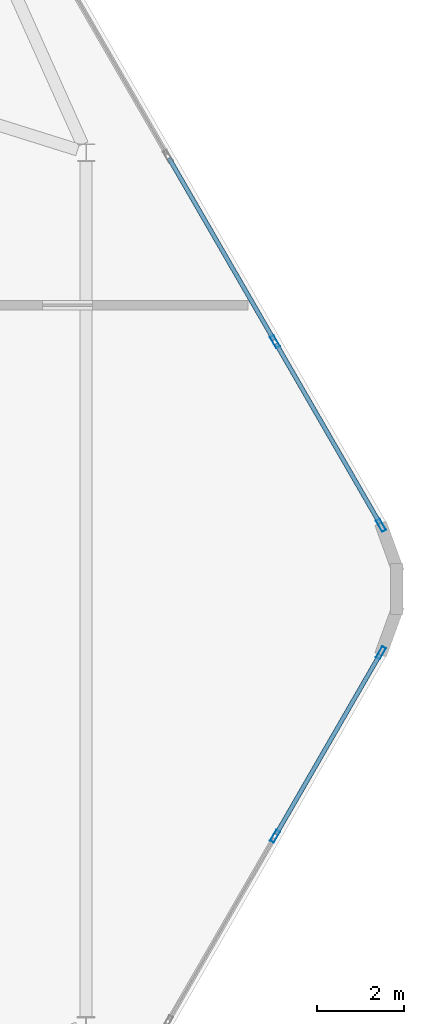
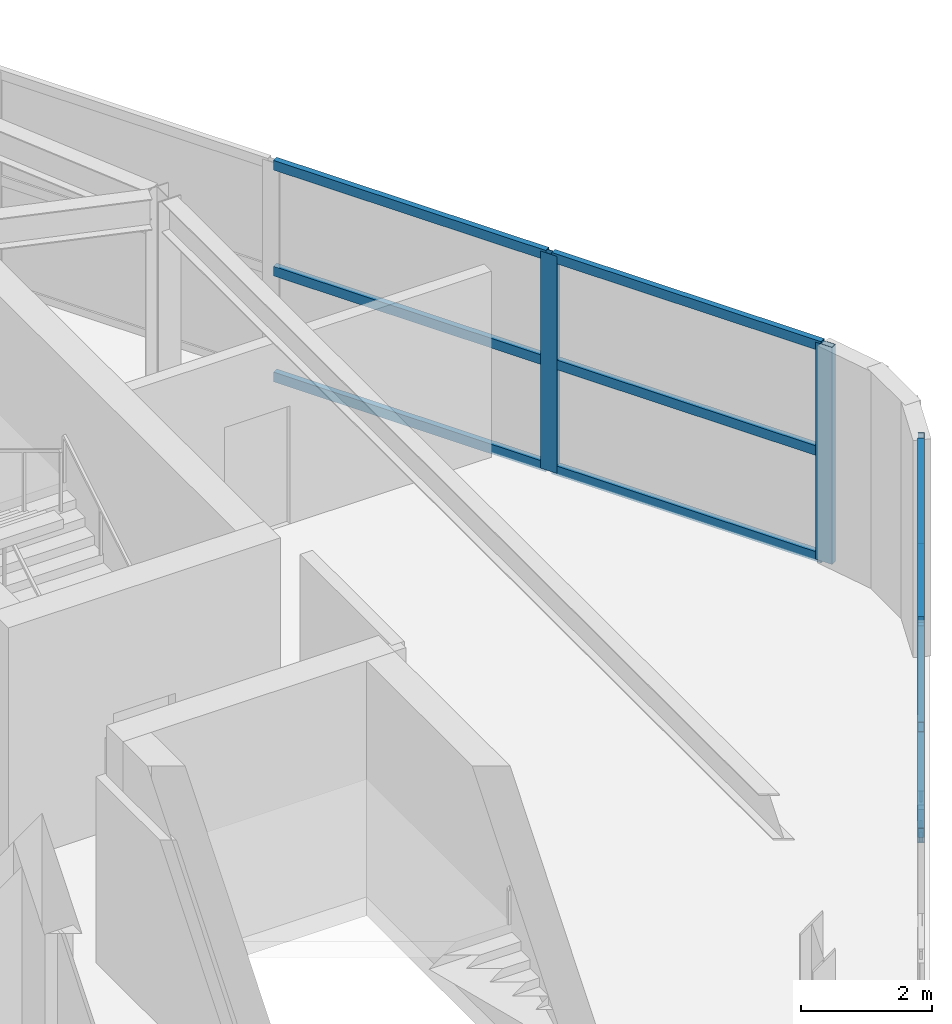
# One storey, part 9 of 16: 13 members, 2 elements without a shape of their own.
"""IFC4 building model written with IfcOpenShell, lengths in metres."""

from ifc_helpers import new_model, si_unit, direction, frame, origin, origin_2d, place, context, subcontext, project, spatial, hollow_rectangle, extrude, material, material_profile, profile_set, type_object, element, aggregate, save


model = new_model("IFC4")

# Units and contexts
model_context = context("Model", 3, precision=1e-05, world=origin(), true_north=direction((0.0, 1.0)))
body_context = subcontext(model_context, "Body", "Model", "MODEL_VIEW")
ifc_project = project(units=[si_unit("LENGTHUNIT", "METRE"), si_unit("AREAUNIT", "SQUARE_METRE"), si_unit("VOLUMEUNIT", "CUBIC_METRE"), si_unit("PLANEANGLEUNIT", "RADIAN"), si_unit("MASSUNIT", "GRAM", prefix="KILO")], contexts=[model_context])

# Site, building, storey
site_placement = place(None, origin())
site = spatial("IfcSite", under=ifc_project, at=site_placement, CompositionType="ELEMENT")
building_placement = place(site_placement, origin())
building = spatial("IfcBuilding", under=site, at=building_placement, Name="Zuhravey Tower", CompositionType="ELEMENT")
storey_placement = place(building_placement, frame((0.0, 0.0, 374.60009765625)))
storey = spatial("IfcBuildingStorey", under=building, at=storey_placement, Name="L95", CompositionType="ELEMENT", Elevation=374.60009765625)

# Curtain wall, members
ifc_material_1 = material(Name="Thermally broken anodised aluminium", Category="aluminium")
curtain_wall_type = type_object("IfcCurtainWallType", Name="Split-Top Crown Screened Curtain Wall CW6", PredefinedType="NOTDEFINED", material=ifc_material_1)
curtain_wall_1_placement = place(storey_placement, origin())
curtain_wall_1 = element("IfcCurtainWall", 1, at=curtain_wall_1_placement, inside=storey, type_object=curtain_wall_type, Name="L95 CW6 CW6-L95-EAST-04", PredefinedType="NOTDEFINED")
ifc_material_2 = material(Name="Anodised aluminium", Category="aluminium")
ifc_material_profile_1 = material_profile(ifc_material_2, hollow_rectangle(XDim=0.10009765625, YDim=0.2900390625, WallThickness=0.006103515625, at=origin_2d()), Name="ALU-RHS-100x290x6")
ifc_profile_set_1 = profile_set([ifc_material_profile_1], Name="Anodised aluminium")
member_type_1 = type_object("IfcMemberType", Name="Heavy Tall-Storey Mullion 100x220", PredefinedType="MULLION", material=ifc_profile_set_1)
member_1_placement = place(storey_placement, frame((60.528076171875, 37.6640625, 0.0), z_axis=(0.0, 0.0, 1.0), x_axis=(0.866027063754, 0.499997124838, 0.0)))
member_1 = element("IfcMember", 2, at=member_1_placement, type_object=member_type_1, Name="CW6 mullion 5", PredefinedType="MULLION", context=body_context, shape_type="SweptSolid", body=[
    extrude(hollow_rectangle(XDim=0.10009765625, YDim=0.2900390625, WallThickness=0.006103515625, at=origin_2d()), origin(), (0.0, 0.0, 1.0), 4.0498046875),
])
member_2_placement = place(storey_placement, frame((62.9560546875, 33.458984375, 0.0), z_axis=(0.0, 0.0, 1.0), x_axis=(0.866027063754, 0.499997124838, 0.0)))
member_2 = element("IfcMember", 3, at=member_2_placement, type_object=member_type_1, Name="CW6 mullion 6", PredefinedType="MULLION", context=body_context, shape_type="SweptSolid", body=[
    extrude(hollow_rectangle(XDim=0.10009765625, YDim=0.2900390625, WallThickness=0.006103515625, at=origin_2d()), origin(), (0.0, 0.0, 1.0), 4.0498046875),
])

curtain_wall_2_placement = place(storey_placement, origin())
curtain_wall_2 = element("IfcCurtainWall", 4, at=curtain_wall_2_placement, inside=storey, type_object=curtain_wall_type, Name="L95 CW6 CW6-L95-EAST-08", PredefinedType="NOTDEFINED")
member_3_placement = place(storey_placement, frame((62.9560546875, 30.541015625, 0.0), z_axis=(0.0, 0.0, 1.0), x_axis=(0.866027063754, -0.499997124838, 0.0)))
member_3 = element("IfcMember", 5, at=member_3_placement, type_object=member_type_1, Name="CW6 mullion 1", PredefinedType="MULLION", context=body_context, shape_type="SweptSolid", body=[
    extrude(hollow_rectangle(XDim=0.10009765625, YDim=0.2900390625, WallThickness=0.006103515625, at=origin_2d()), origin(), (0.0, 0.0, 1.0), 4.0498046875),
])
member_4_placement = place(storey_placement, frame((60.528076171875, 26.3359375, 0.0), z_axis=(0.0, 0.0, 1.0), x_axis=(0.866027063754, -0.499997124838, 0.0)))
member_4 = element("IfcMember", 6, at=member_4_placement, type_object=member_type_1, Name="CW6 mullion 2", PredefinedType="MULLION", context=body_context, shape_type="SweptSolid", body=[
    extrude(hollow_rectangle(XDim=0.10009765625, YDim=0.2900390625, WallThickness=0.006103515625, at=origin_2d()), origin(), (0.0, 0.0, 1.0), 4.0498046875),
])

# Member
ifc_material_profile_2 = material_profile(ifc_material_2, hollow_rectangle(XDim=0.10009765625, YDim=0.179931640625, WallThickness=0.006103515625, at=origin_2d()), Name="ALU-RHS-100x180x6")
ifc_profile_set_2 = profile_set([ifc_material_profile_2], Name="Anodised aluminium")
member_type_2 = type_object("IfcMemberType", Name="Tall-Storey Transom 100x180", PredefinedType="USERDEFINED", material=ifc_profile_set_2)
member_5_placement = place(storey_placement, frame((58.10009765625, 41.869384765625, 0.0498046875), z_axis=(0.50003466983, -0.866005386223, 0.0), x_axis=(0.866005386223, 0.50003466983, 0.0)))
member_5 = element("IfcMember", 7, at=member_5_placement, type_object=member_type_2, Name="CW6 transom 4.1", ObjectType="TRANSOM", PredefinedType="USERDEFINED", context=body_context, shape_type="SweptSolid", body=[
    extrude(hollow_rectangle(XDim=0.10009765625, YDim=0.179931640625, WallThickness=0.006103515625, at=origin_2d()), origin(), (0.0, 0.0, 1.0), 4.805908203125),
])

member_6_placement = place(storey_placement, frame((58.10009765625, 41.869384765625, 2.02490234375), z_axis=(0.50003466983, -0.866005386223, 0.0), x_axis=(0.866005386223, 0.50003466983, 0.0)))
member_6 = element("IfcMember", 8, at=member_6_placement, type_object=member_type_2, Name="CW6 transom 4.2", ObjectType="TRANSOM", PredefinedType="USERDEFINED", context=body_context, shape_type="SweptSolid", body=[
    extrude(hollow_rectangle(XDim=0.10009765625, YDim=0.179931640625, WallThickness=0.006103515625, at=origin_2d()), origin(), (0.0, 0.0, 1.0), 4.805908203125),
])

member_7_placement = place(storey_placement, frame((58.10009765625, 41.869384765625, 4.0), z_axis=(0.50003466983, -0.866005386223, 0.0), x_axis=(0.866005386223, 0.50003466983, 0.0)))
member_7 = element("IfcMember", 9, at=member_7_placement, type_object=member_type_2, Name="CW6 transom 4.3", ObjectType="TRANSOM", PredefinedType="USERDEFINED", context=body_context, shape_type="SweptSolid", body=[
    extrude(hollow_rectangle(XDim=0.10009765625, YDim=0.179931640625, WallThickness=0.006103515625, at=origin_2d()), origin(), (0.0, 0.0, 1.0), 4.805908203125),
])

member_8_placement = place(storey_placement, frame((60.552978515625, 37.620849609375, 0.0498046875), z_axis=(0.500003887042, -0.866023159588, 0.0), x_axis=(0.866023159588, 0.500003887042, 0.0)))
member_8 = element("IfcMember", 10, at=member_8_placement, type_object=member_type_2, Name="CW6 transom 5.1", ObjectType="TRANSOM", PredefinedType="USERDEFINED", context=body_context, shape_type="SweptSolid", body=[
    extrude(hollow_rectangle(XDim=0.10009765625, YDim=0.179931640625, WallThickness=0.006103515625, at=origin_2d()), origin(), (0.0, 0.0, 1.0), 4.755859375),
])

member_9_placement = place(storey_placement, frame((60.552978515625, 37.620849609375, 2.02490234375), z_axis=(0.500003887042, -0.866023159588, 0.0), x_axis=(0.866023159588, 0.500003887042, 0.0)))
member_9 = element("IfcMember", 11, at=member_9_placement, type_object=member_type_2, Name="CW6 transom 5.2", ObjectType="TRANSOM", PredefinedType="USERDEFINED", context=body_context, shape_type="SweptSolid", body=[
    extrude(hollow_rectangle(XDim=0.10009765625, YDim=0.179931640625, WallThickness=0.006103515625, at=origin_2d()), origin(), (0.0, 0.0, 1.0), 4.755859375),
])

member_10_placement = place(storey_placement, frame((60.552978515625, 37.620849609375, 4.0), z_axis=(0.500003887042, -0.866023159588, 0.0), x_axis=(0.866023159588, 0.500003887042, 0.0)))
member_10 = element("IfcMember", 12, at=member_10_placement, type_object=member_type_2, Name="CW6 transom 5.3", ObjectType="TRANSOM", PredefinedType="USERDEFINED", context=body_context, shape_type="SweptSolid", body=[
    extrude(hollow_rectangle(XDim=0.10009765625, YDim=0.179931640625, WallThickness=0.006103515625, at=origin_2d()), origin(), (0.0, 0.0, 1.0), 4.755859375),
])

aggregate(curtain_wall_1, [member_1, member_2, member_5, member_6, member_7, member_8, member_9, member_10])

member_11_placement = place(storey_placement, frame((62.930908203125, 30.497802734375, 0.0498046875), z_axis=(-0.500003887042, -0.866023159588, 0.0), x_axis=(0.866023159588, -0.500003887042, 0.0)))
member_11 = element("IfcMember", 13, at=member_11_placement, type_object=member_type_2, Name="CW6 transom 1.1", ObjectType="TRANSOM", PredefinedType="USERDEFINED", context=body_context, shape_type="SweptSolid", body=[
    extrude(hollow_rectangle(XDim=0.10009765625, YDim=0.179931640625, WallThickness=0.006103515625, at=origin_2d()), origin(), (0.0, 0.0, 1.0), 4.755859375),
])

member_12_placement = place(storey_placement, frame((62.930908203125, 30.497802734375, 2.02490234375), z_axis=(-0.500003887042, -0.866023159588, 0.0), x_axis=(0.866023159588, -0.500003887042, 0.0)))
member_12 = element("IfcMember", 14, at=member_12_placement, type_object=member_type_2, Name="CW6 transom 1.2", ObjectType="TRANSOM", PredefinedType="USERDEFINED", context=body_context, shape_type="SweptSolid", body=[
    extrude(hollow_rectangle(XDim=0.10009765625, YDim=0.179931640625, WallThickness=0.006103515625, at=origin_2d()), origin(), (0.0, 0.0, 1.0), 4.755859375),
])

member_13_placement = place(storey_placement, frame((62.930908203125, 30.497802734375, 4.0), z_axis=(-0.500003887042, -0.866023159588, 0.0), x_axis=(0.866023159588, -0.500003887042, 0.0)))
member_13 = element("IfcMember", 15, at=member_13_placement, type_object=member_type_2, Name="CW6 transom 1.3", ObjectType="TRANSOM", PredefinedType="USERDEFINED", context=body_context, shape_type="SweptSolid", body=[
    extrude(hollow_rectangle(XDim=0.10009765625, YDim=0.179931640625, WallThickness=0.006103515625, at=origin_2d()), origin(), (0.0, 0.0, 1.0), 4.755859375),
])

aggregate(curtain_wall_2, [member_3, member_4, member_11, member_12, member_13])

save(model, "model.ifc")
